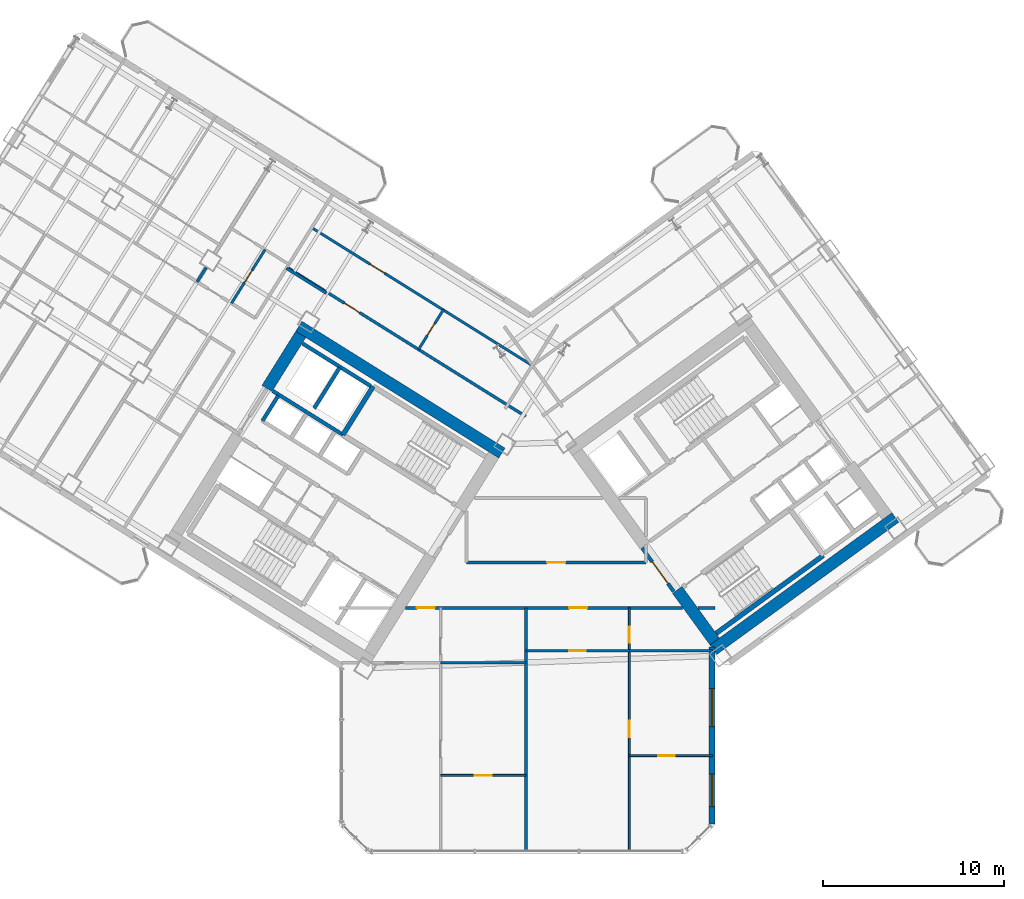
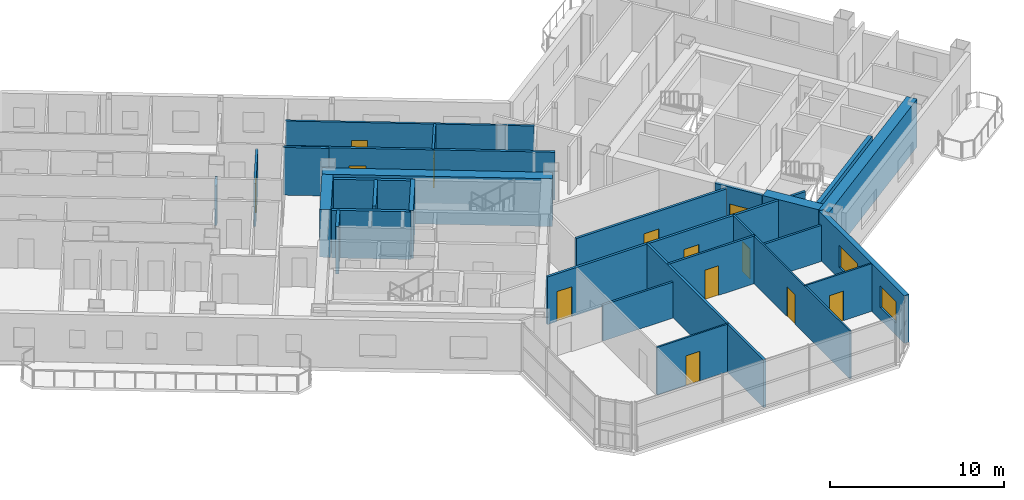
# One storey, part 13 of 21: 28 walls, 13 doors, 2 windows, 15 openings.
"""IFC4 building model written with IfcOpenShell, lengths in metres."""

from ifc_helpers import new_model, si_unit, direction, frame, frame_2d, origin, place, context, subcontext, project, spatial, rectangle, extrude, source, transform, mapped, material, layer, layer_set, type_object, element, fill, save


model = new_model("IFC4")

# Units and contexts
model_context = context("Model", 3, precision=1e-05, world=origin(), true_north=direction((0.0, 1.0)))
body_context = subcontext(model_context, "Body", "Model", "MODEL_VIEW")
ifc_project = project(units=[si_unit("LENGTHUNIT", "METRE"), si_unit("AREAUNIT", "SQUARE_METRE"), si_unit("VOLUMEUNIT", "CUBIC_METRE"), si_unit("PLANEANGLEUNIT", "RADIAN"), si_unit("MASSUNIT", "GRAM", prefix="KILO")], contexts=[model_context])

# Site, building, storey
site_placement = place(None, origin())
site = spatial("IfcSite", under=ifc_project, at=site_placement, CompositionType="ELEMENT")
building_placement = place(site_placement, origin())
building = spatial("IfcBuilding", under=site, at=building_placement, Name="Tlacorven Tower", CompositionType="ELEMENT")
storey_placement = place(building_placement, frame((0.0, 0.0, 93.60009765625)))
storey = spatial("IfcBuildingStorey", under=building, at=storey_placement, Name="L23", CompositionType="ELEMENT", Elevation=93.60009765625)

# Walls
ifc_material_1 = material(Name="Concrete C60/75", Category="concrete")
ifc_layer_1 = layer(ifc_material_1, 0.64990234375)
ifc_layer_set_1 = layer_set([ifc_layer_1], Name="Concrete C60/75")
wall_type_1 = type_object("IfcWallType", Name="WL-COR-650", PredefinedType="SHEAR", material=ifc_layer_set_1)
wall_1_placement = place(storey_placement, frame((40.615478515625, 23.9833984375, 0.0), z_axis=(0.0, 0.0, 1.0), x_axis=(-0.848045953968, 0.529922692436, 0.0)))
element("IfcWall", 1, at=wall_1_placement, inside=storey, type_object=wall_type_1, Name="L23 W core shear wall S1", PredefinedType="SHEAR", context=body_context, shape_type="SweptSolid", body=[
    extrude(rectangle(XDim=13.239990234375, YDim=0.64990234375, at=frame_2d((6.6201171875, 0.0))), origin(), (0.0, 0.0, 1.0), 3.349853515625),
])
wall_2_placement = place(storey_placement, frame((29.49072265625, 30.5517578125, 0.0), z_axis=(0.0, 0.0, 1.0), x_axis=(-0.529893103397, -0.8480644427, 0.0)))
element("IfcWall", 2, at=wall_2_placement, inside=storey, type_object=wall_type_1, Name="L23 W core end wall E2.1", PredefinedType="SHEAR", context=body_context, shape_type="SweptSolid", body=[
    extrude(rectangle(XDim=3.525146484375, YDim=0.64990234375, at=frame_2d((1.7626953125, 0.0))), origin(), (0.0, 0.0, 1.0), 3.349853515625),
])
wall_3_placement = place(storey_placement, frame((52.318359375, 13.1103515625, 0.0), z_axis=(0.0, 0.0, 1.0), x_axis=(0.809019445368, 0.587781878776, 0.0)))
element("IfcWall", 3, at=wall_3_placement, inside=storey, type_object=wall_type_1, Name="L23 E core shear wall S1", PredefinedType="SHEAR", context=body_context, shape_type="SweptSolid", body=[
    extrude(rectangle(XDim=12.43994140625, YDim=0.64990234375, at=frame_2d((6.219970703125, 0.0))), origin(), (0.0, 0.0, 1.0), 3.349853515625),
])
wall_4_placement = place(storey_placement, frame((52.390380859375, 13.564208984375, 0.0), z_axis=(0.0, 0.0, 1.0), x_axis=(-0.58779688989, 0.809008539037, 0.0)))
element("IfcWall", 4, at=wall_4_placement, inside=storey, type_object=wall_type_1, Name="L23 E core end wall E1.1", PredefinedType="SHEAR", context=body_context, shape_type="SweptSolid", body=[
    extrude(rectangle(XDim=3.525146484375, YDim=0.64990234375, at=frame_2d((1.7626953125, 0.0))), origin(), (0.0, 0.0, 1.0), 3.349853515625),
])
ifc_material_2 = material(Name="Gypsum plasterboard acoustic partition", Category="gypsum")
ifc_layer_2 = layer(ifc_material_2, 0.159912109375)
ifc_layer_set_2 = layer_set([ifc_layer_2], Name="Gypsum plasterboard acoustic partition")
wall_type_2 = type_object("IfcWallType", Name="WL-DEM-160", PredefinedType="PARTITIONING", material=ifc_layer_set_2)
wall_5_placement = place(storey_placement, frame((30.91357421875, 32.82861328125, 0.0), z_axis=(0.0, 0.0, 1.0), x_axis=(-0.848008813643, 0.529982124211, 0.0)))
element("IfcWall", 5, at=wall_5_placement, inside=storey, type_object=wall_type_2, Name="L23 partition 49", PredefinedType="PARTITIONING", context=body_context, shape_type="SweptSolid", body=[
    extrude(rectangle(XDim=2.610107421875, YDim=0.159912109375, at=frame_2d((1.30517578125, 0.0))), origin(), (0.0, 0.0, 1.0), 3.33984375),
])
wall_6_placement = place(storey_placement, frame((24.255615234375, 34.2509765625, 0.0), z_axis=(0.0, 0.0, 1.0), x_axis=(-0.529952145338, -0.848027548876, 0.0)))
element("IfcWall", 6, at=wall_6_placement, inside=storey, type_object=wall_type_2, Name="L23 WS Demising Wall 1", PredefinedType="PARTITIONING", context=body_context, shape_type="SweptSolid", body=[
    extrude(rectangle(XDim=0.93798828125, YDim=0.159912109375, at=frame_2d((0.468994140625, 0.0))), origin(), (0.0, 0.0, 1.0), 2.77490234375),
])

# Wall, opening, door
wall_7_placement = place(storey_placement, frame((41.93603515625, 26.011962890625, 0.0), z_axis=(0.0, 0.0, 1.0), x_axis=(-0.848051154596, 0.529914369676, 0.0)))
wall_7 = element("IfcWall", 7, at=wall_7_placement, inside=storey, type_object=wall_type_2, Name="L23 partition 79", PredefinedType="PARTITIONING", context=body_context, shape_type="SweptSolid", body=[
    extrude(rectangle(XDim=15.56982421875, YDim=0.159912109375, at=frame_2d((7.784912109375, 0.0))), origin(), (0.0, 0.0, 1.0), 3.33984375),
])
opening_1_placement = place(wall_7_placement, frame((10.830078125, 0.0, 0.0)))
opening_1 = element("IfcOpeningElement", 8, at=opening_1_placement, cuts=wall_7, Name="Opening D11", PredefinedType="OPENING", context=body_context, shape_type="SweptSolid", body=[
    extrude(rectangle(XDim=1.0, YDim=2.10009765625, at=frame_2d((0.5, 1.050048828125))), frame((0.0, 0.08984375, 0.0), z_axis=(0.0, -1.0, 0.0), x_axis=(1.0, 0.0, 0.0)), (0.0, 0.0, 1.0), 0.179931640625),
])
ifc_material_3 = material(Name="Fire-rated steel door assembly", Category="steel")
door_type_1 = type_object("IfcDoorType", Name="DR-FLT-FD60-1000", OperationType="NOTDEFINED", PredefinedType="DOOR", material=ifc_material_3)
shared_shape_1 = source(origin(), body_context, "Body", "SweptSolid", [
    extrude(rectangle(XDim=1.0, YDim=2.10009765625, at=frame_2d((0.5, 1.050048828125))), frame((0.0, 0.02490234375, 0.0), z_axis=(0.0, -1.0, 0.0), x_axis=(1.0, 0.0, 0.0)), (0.0, 0.0, 1.0), 0.050048828125),
])
door_1_placement = place(opening_1_placement, origin())
door_1 = element("IfcDoor", 9, at=door_1_placement, inside=storey, type_object=door_type_1, Name="L23 door 048", OperationType="SINGLE_SWING_LEFT", OverallHeight=2.10009765625, OverallWidth=1.0, PredefinedType="DOOR", context=body_context, shape_type="MappedRepresentation", body=[
    mapped(shared_shape_1, transform((0.0, 0.0, 0.0), scale=1.0)),
])
fill(opening_1, door_1)

# Wall, openings, doors
wall_8_placement = place(storey_placement, frame((35.29638671875, 15.419921875, 0.0), z_axis=(0.0, 0.0, 1.0), x_axis=(1.0, 0.0, 0.0)))
wall_8 = element("IfcWall", 10, at=wall_8_placement, inside=storey, type_object=wall_type_2, Name="L23 Knuckle Corridor South Wall", PredefinedType="PARTITIONING", context=body_context, shape_type="SweptSolid", body=[
    extrude(rectangle(XDim=15.310546875, YDim=0.159912109375, at=frame_2d((7.6552734375, 0.0))), origin(), (0.0, 0.0, 1.0), 3.33984375),
])
opening_2_placement = place(wall_8_placement, frame((0.61474609375, 0.0, 0.0)))
opening_2 = element("IfcOpeningElement", 11, at=opening_2_placement, cuts=wall_8, Name="Opening D11", PredefinedType="OPENING", context=body_context, shape_type="SweptSolid", body=[
    extrude(rectangle(XDim=1.0, YDim=2.10009765625, at=frame_2d((0.5, 1.050048828125))), frame((0.0, 0.08984375, 0.0), z_axis=(0.0, -1.0, 0.0), x_axis=(1.0, 0.0, 0.0)), (0.0, 0.0, 1.0), 0.179931640625),
])
opening_3_placement = place(wall_8_placement, frame((9.03515625, 0.0, 0.0)))
opening_3 = element("IfcOpeningElement", 12, at=opening_3_placement, cuts=wall_8, Name="Opening D11", PredefinedType="OPENING", context=body_context, shape_type="SweptSolid", body=[
    extrude(rectangle(XDim=1.0, YDim=2.10009765625, at=frame_2d((0.5, 1.050048828125))), frame((0.0, 0.08984375, 0.0), z_axis=(0.0, -1.0, 0.0), x_axis=(1.0, 0.0, 0.0)), (0.0, 0.0, 1.0), 0.179931640625),
])
door_2_placement = place(opening_2_placement, frame((1.0, 0.0, 0.0), z_axis=(0.0, 0.0, 1.0), x_axis=(-1.0, 0.0, 0.0)))
door_2 = element("IfcDoor", 13, at=door_2_placement, inside=storey, type_object=door_type_1, Name="L23 door 056", OperationType="SINGLE_SWING_LEFT", OverallHeight=2.10009765625, OverallWidth=1.0, PredefinedType="DOOR", context=body_context, shape_type="MappedRepresentation", body=[
    mapped(shared_shape_1, transform((0.0, 0.0, 0.0), scale=1.0)),
])
fill(opening_2, door_2)
door_3_placement = place(opening_3_placement, frame((1.0, 0.0, 0.0), z_axis=(0.0, 0.0, 1.0), x_axis=(-1.0, 0.0, 0.0)))
door_3 = element("IfcDoor", 14, at=door_3_placement, inside=storey, type_object=door_type_1, Name="L23 door 061", OperationType="SINGLE_SWING_RIGHT", OverallHeight=2.10009765625, OverallWidth=1.0, PredefinedType="DOOR", context=body_context, shape_type="MappedRepresentation", body=[
    mapped(shared_shape_1, transform((0.0, 0.0, 0.0), scale=1.0)),
])
fill(opening_3, door_3)

# Wall
wall_9_placement = place(storey_placement, frame((51.477294921875, 15.419921875, 0.0), z_axis=(0.0, 0.0, 1.0), x_axis=(1.0, 0.0, 0.0)))
element("IfcWall", 15, at=wall_9_placement, inside=storey, type_object=wall_type_2, Name="L23 Knuckle Corridor South Wall", PredefinedType="PARTITIONING", context=body_context, shape_type="SweptSolid", body=[
    extrude(rectangle(XDim=0.922607421875, YDim=0.159912109375, at=frame_2d((0.46142578125, 0.0))), origin(), (0.0, 0.0, 1.0), 3.33984375),
])

# Wall, opening, door
wall_10_placement = place(storey_placement, frame((38.64990234375, 17.929931640625, 0.0), z_axis=(0.0, 0.0, 1.0), x_axis=(1.0, 0.0, 0.0)))
wall_10 = element("IfcWall", 16, at=wall_10_placement, inside=storey, type_object=wall_type_2, Name="L23 partition 85", PredefinedType="PARTITIONING", context=body_context, shape_type="SweptSolid", body=[
    extrude(rectangle(XDim=9.9501953125, YDim=0.159912109375, at=frame_2d((4.97509765625, 0.0))), origin(), (0.0, 0.0, 1.0), 3.33984375),
])
opening_4_placement = place(wall_10_placement, frame((4.47509765625, 0.0, 0.0)))
opening_4 = element("IfcOpeningElement", 17, at=opening_4_placement, cuts=wall_10, Name="Opening D11", PredefinedType="OPENING", context=body_context, shape_type="SweptSolid", body=[
    extrude(rectangle(XDim=1.0, YDim=2.10009765625, at=frame_2d((0.5, 1.050048828125))), frame((0.0, 0.08984375, 0.0), z_axis=(0.0, -1.0, 0.0), x_axis=(1.0, 0.0, 0.0)), (0.0, 0.0, 1.0), 0.179931640625),
])
door_4_placement = place(opening_4_placement, origin())
door_4 = element("IfcDoor", 18, at=door_4_placement, inside=storey, type_object=door_type_1, Name="L23 door 051", OperationType="SINGLE_SWING_RIGHT", OverallHeight=2.10009765625, OverallWidth=1.0, PredefinedType="DOOR", context=body_context, shape_type="MappedRepresentation", body=[
    mapped(shared_shape_1, transform((0.0, 0.0, 0.0), scale=1.0)),
])
fill(opening_4, door_4)

# Wall
wall_11_placement = place(storey_placement, frame((41.949951171875, 1.9599609375, 0.0), z_axis=(0.0, 0.0, 1.0), x_axis=(0.0, 1.0, 0.0)))
element("IfcWall", 19, at=wall_11_placement, inside=storey, type_object=wall_type_2, Name="L23 Knuckle Demising Wall 1", PredefinedType="PARTITIONING", context=body_context, shape_type="SweptSolid", body=[
    extrude(rectangle(XDim=13.4599609375, YDim=0.159912109375, at=frame_2d((6.72998046875, 0.0))), origin(), (0.0, 0.0, 1.0), 3.33984375),
])

# Wall, openings, windows
ifc_material_4 = material(Name="Precast concrete C45/55", Category="concrete")
ifc_layer_3 = layer(ifc_material_4, 0.320068359375)
ifc_layer_set_3 = layer_set([ifc_layer_3], Name="Precast concrete C45/55")
wall_type_3 = type_object("IfcWallType", Name="WL-EXT-320", PredefinedType="STANDARD", material=ifc_layer_set_3)
wall_12_placement = place(storey_placement, frame((52.239990234375, 13.260986328125, 0.0), z_axis=(0.0, 0.0, 1.0), x_axis=(0.0, -1.0, 0.0)))
wall_12 = element("IfcWall", 20, at=wall_12_placement, inside=storey, type_object=wall_type_3, Name="L23 Masonry-Frame Recessed Facade Wall 7", PredefinedType="STANDARD", context=body_context, shape_type="SweptSolid", body=[
    extrude(rectangle(XDim=9.794677734375, YDim=0.320068359375, at=frame_2d((4.8974609375, 0.0))), origin(), (0.0, 0.0, 1.0), 3.349853515625),
])
opening_5_placement = place(wall_12_placement, frame((2.306884765625, 0.0, 0.800048828125)))
opening_5 = element("IfcOpeningElement", 21, at=opening_5_placement, cuts=wall_12, Name="Opening WN04", PredefinedType="OPENING", context=body_context, shape_type="SweptSolid", body=[
    extrude(rectangle(XDim=2.10009765625, YDim=1.550048828125, at=frame_2d((1.050048828125, 0.77490234375))), frame((0.0, 0.169921875, 0.0), z_axis=(0.0, -1.0, 0.0), x_axis=(1.0, 0.0, 0.0)), (0.0, 0.0, 1.0), 0.340087890625),
])
opening_6_placement = place(wall_12_placement, frame((7.0302734375, 0.0, 0.85009765625)))
opening_6 = element("IfcOpeningElement", 22, at=opening_6_placement, cuts=wall_12, Name="Opening WN01", PredefinedType="OPENING", context=body_context, shape_type="SweptSolid", body=[
    extrude(rectangle(XDim=1.800048828125, YDim=1.5, at=frame_2d((0.89990234375, 0.75))), frame((0.0, 0.169921875, 0.0), z_axis=(0.0, -1.0, 0.0), x_axis=(1.0, 0.0, 0.0)), (0.0, 0.0, 1.0), 0.340087890625),
])
ifc_material_5 = material(Name="Dark solar low-E double glazing in anodised aluminium frame", Category="aluminium")
window_type_1 = type_object("IfcWindowType", Name="WN-APT-2100X1750", PartitioningType="SINGLE_PANEL", PredefinedType="WINDOW", material=ifc_material_5)
shared_shape_2 = source(origin(), body_context, "Body", "SweptSolid", [
    extrude(rectangle(XDim=2.10009765625, YDim=1.550048828125, at=frame_2d((1.050048828125, 0.77490234375))), frame((0.0, 0.030029296875, 0.0), z_axis=(0.0, -1.0, 0.0), x_axis=(1.0, 0.0, 0.0)), (0.0, 0.0, 1.0), 0.06005859375),
])
window_1_placement = place(opening_5_placement, origin())
window_1 = element("IfcWindow", 23, at=window_1_placement, inside=storey, type_object=window_type_1, Name="L23 Recessed Masonry-Frame Window L23-07.1", OverallHeight=1.550048828125, OverallWidth=2.10009765625, PartitioningType="SINGLE_PANEL", PredefinedType="WINDOW", context=body_context, shape_type="MappedRepresentation", body=[
    mapped(shared_shape_2, transform((0.0, 0.0, 0.0), scale=1.0)),
])
fill(opening_5, window_1)
window_type_2 = type_object("IfcWindowType", Name="WN-APT-1800X1650", PartitioningType="SINGLE_PANEL", PredefinedType="WINDOW", material=ifc_material_5)
shared_shape_3 = source(origin(), body_context, "Body", "SweptSolid", [
    extrude(rectangle(XDim=1.800048828125, YDim=1.5, at=frame_2d((0.89990234375, 0.75))), frame((0.0, 0.030029296875, 0.0), z_axis=(0.0, -1.0, 0.0), x_axis=(1.0, 0.0, 0.0)), (0.0, 0.0, 1.0), 0.06005859375),
])
window_2_placement = place(opening_6_placement, origin())
window_2 = element("IfcWindow", 24, at=window_2_placement, inside=storey, type_object=window_type_2, Name="L23 Recessed Masonry-Frame Window L23-07.2", OverallHeight=1.5, OverallWidth=1.800048828125, PartitioningType="SINGLE_PANEL", PredefinedType="WINDOW", context=body_context, shape_type="MappedRepresentation", body=[
    mapped(shared_shape_3, transform((0.0, 0.0, 0.0), scale=1.0)),
])
fill(opening_6, window_2)

# Wall, opening, door
ifc_material_6 = material(Name="Gypsum plasterboard partition", Category="gypsum")
ifc_layer_4 = layer(ifc_material_6, 0.110107421875)
ifc_layer_set_4 = layer_set([ifc_layer_4], Name="Gypsum plasterboard partition")
wall_type_4 = type_object("IfcWallType", Name="WL-INT-110", PredefinedType="PARTITIONING", material=ifc_layer_set_4)
wall_13_placement = place(storey_placement, frame((37.221923828125, 6.14990234375, 0.0), z_axis=(0.0, 0.0, 1.0), x_axis=(1.0, 0.0, 0.0)))
wall_13 = element("IfcWall", 25, at=wall_13_placement, inside=storey, type_object=wall_type_4, Name="L23 partition 94", PredefinedType="PARTITIONING", context=body_context, shape_type="SweptSolid", body=[
    extrude(rectangle(XDim=4.72802734375, YDim=0.110107421875, at=frame_2d((2.364013671875, 0.0))), origin(), (0.0, 0.0, 1.0), 3.33984375),
])
opening_7_placement = place(wall_13_placement, frame((1.904052734375, 0.0, 0.0)))
opening_7 = element("IfcOpeningElement", 26, at=opening_7_placement, cuts=wall_13, Name="Opening D12", PredefinedType="OPENING", context=body_context, shape_type="SweptSolid", body=[
    extrude(rectangle(XDim=0.919921875, YDim=2.080078125, at=frame_2d((0.4599609375, 1.0400390625))), frame((0.0, 0.06494140625, 0.0), z_axis=(0.0, -1.0, 0.0), x_axis=(1.0, 0.0, 0.0)), (0.0, 0.0, 1.0), 0.130126953125),
])
ifc_material_7 = material(Name="Powder-coated aluminium and timber door", Category="wood")
door_type_2 = type_object("IfcDoorType", Name="DR-INT-ROOM-0920", OperationType="NOTDEFINED", PredefinedType="DOOR", material=ifc_material_7)
shared_shape_4 = source(origin(), body_context, "Body", "SweptSolid", [
    extrude(rectangle(XDim=0.919921875, YDim=2.080078125, at=frame_2d((0.4599609375, 1.0400390625))), frame((0.0, 0.02490234375, 0.0), z_axis=(0.0, -1.0, 0.0), x_axis=(1.0, 0.0, 0.0)), (0.0, 0.0, 1.0), 0.050048828125),
])
door_5_placement = place(opening_7_placement, origin())
door_5 = element("IfcDoor", 27, at=door_5_placement, inside=storey, type_object=door_type_2, Name="L23 door 055", OperationType="SINGLE_SWING_RIGHT", OverallHeight=2.080078125, OverallWidth=0.919921875, PredefinedType="DOOR", context=body_context, shape_type="MappedRepresentation", body=[
    mapped(shared_shape_4, transform((0.0, 0.0, 0.0), scale=1.0)),
])
fill(opening_7, door_5)

# Wall, openings, doors
wall_14_placement = place(storey_placement, frame((47.6630859375, 1.9599609375, 0.0), z_axis=(0.0, 0.0, 1.0), x_axis=(0.0, 1.0, 0.0)))
wall_14 = element("IfcWall", 28, at=wall_14_placement, inside=storey, type_object=wall_type_4, Name="L23 partition 95", PredefinedType="PARTITIONING", context=body_context, shape_type="SweptSolid", body=[
    extrude(rectangle(XDim=13.4599609375, YDim=0.110107421875, at=frame_2d((6.72998046875, 0.0))), origin(), (0.0, 0.0, 1.0), 3.33984375),
])
opening_8_placement = place(wall_14_placement, frame((6.300048828125, 0.0, 0.0)))
opening_8 = element("IfcOpeningElement", 29, at=opening_8_placement, cuts=wall_14, Name="Opening D12", PredefinedType="OPENING", context=body_context, shape_type="SweptSolid", body=[
    extrude(rectangle(XDim=0.919921875, YDim=2.080078125, at=frame_2d((0.4599609375, 1.0400390625))), frame((0.0, 0.06494140625, 0.0), z_axis=(0.0, -1.0, 0.0), x_axis=(1.0, 0.0, 0.0)), (0.0, 0.0, 1.0), 0.130126953125),
])
opening_9_placement = place(wall_14_placement, frame((11.5400390625, 0.0, 0.0)))
opening_9 = element("IfcOpeningElement", 30, at=opening_9_placement, cuts=wall_14, Name="Opening D13", PredefinedType="OPENING", context=body_context, shape_type="SweptSolid", body=[
    extrude(rectangle(XDim=0.8798828125, YDim=2.080078125, at=frame_2d((0.43994140625, 1.0400390625))), frame((0.0, 0.06494140625, 0.0), z_axis=(0.0, -1.0, 0.0), x_axis=(1.0, 0.0, 0.0)), (0.0, 0.0, 1.0), 0.130126953125),
])
door_type_3 = type_object("IfcDoorType", Name="DR-INT-WET-0880", OperationType="NOTDEFINED", PredefinedType="DOOR", material=ifc_material_7)
shared_shape_5 = source(origin(), body_context, "Body", "SweptSolid", [
    extrude(rectangle(XDim=0.8798828125, YDim=2.080078125, at=frame_2d((0.43994140625, 1.0400390625))), frame((0.0, 0.02490234375, 0.0), z_axis=(0.0, -1.0, 0.0), x_axis=(1.0, 0.0, 0.0)), (0.0, 0.0, 1.0), 0.050048828125),
])
door_6_placement = place(opening_9_placement, origin())
door_6 = element("IfcDoor", 31, at=door_6_placement, inside=storey, type_object=door_type_3, Name="L23 door 063", OperationType="SINGLE_SWING_RIGHT", OverallHeight=2.080078125, OverallWidth=0.8798828125, PredefinedType="DOOR", context=body_context, shape_type="MappedRepresentation", body=[
    mapped(shared_shape_5, transform((0.0, 0.0, 0.0), scale=1.0)),
])
fill(opening_9, door_6)
door_7_placement = place(opening_8_placement, origin())
door_7 = element("IfcDoor", 32, at=door_7_placement, inside=storey, type_object=door_type_2, Name="L23 door 059", OperationType="SINGLE_SWING_RIGHT", OverallHeight=2.080078125, OverallWidth=0.919921875, PredefinedType="DOOR", context=body_context, shape_type="MappedRepresentation", body=[
    mapped(shared_shape_4, transform((0.0, 0.0, 0.0), scale=1.0)),
])
fill(opening_8, door_7)

# Wall, opening, door
wall_15_placement = place(storey_placement, frame((47.6630859375, 7.25, 0.0), z_axis=(0.0, 0.0, 1.0), x_axis=(1.0, 0.0, 0.0)))
wall_15 = element("IfcWall", 33, at=wall_15_placement, inside=storey, type_object=wall_type_4, Name="L23 partition 98", PredefinedType="PARTITIONING", context=body_context, shape_type="SweptSolid", body=[
    extrude(rectangle(XDim=4.596923828125, YDim=0.110107421875, at=frame_2d((2.29833984375, 0.0))), origin(), (0.0, 0.0, 1.0), 3.33984375),
])
opening_10_placement = place(wall_15_placement, frame((1.6083984375, 0.0, 0.0)))
opening_10 = element("IfcOpeningElement", 34, at=opening_10_placement, cuts=wall_15, Name="Opening D12", PredefinedType="OPENING", context=body_context, shape_type="SweptSolid", body=[
    extrude(rectangle(XDim=0.919921875, YDim=2.080078125, at=frame_2d((0.4599609375, 1.0400390625))), frame((0.0, 0.06494140625, 0.0), z_axis=(0.0, -1.0, 0.0), x_axis=(1.0, 0.0, 0.0)), (0.0, 0.0, 1.0), 0.130126953125),
])
door_8_placement = place(opening_10_placement, origin())
door_8 = element("IfcDoor", 35, at=door_8_placement, inside=storey, type_object=door_type_2, Name="L23 door 060", OperationType="SINGLE_SWING_LEFT", OverallHeight=2.080078125, OverallWidth=0.919921875, PredefinedType="DOOR", context=body_context, shape_type="MappedRepresentation", body=[
    mapped(shared_shape_4, transform((0.0, 0.0, 0.0), scale=1.0)),
])
fill(opening_10, door_8)

ifc_material_8 = material(Name="Moisture-resistant gypsum plumbing wall", Category="gypsum")
ifc_layer_5 = layer(ifc_material_8, 0.139892578125)
ifc_layer_set_5 = layer_set([ifc_layer_5], Name="Moisture-resistant gypsum plumbing wall")
wall_type_5 = type_object("IfcWallType", Name="WL-PLM-140", PredefinedType="PLUMBINGWALL", material=ifc_layer_set_5)
wall_16_placement = place(storey_placement, frame((27.518310546875, 35.2451171875, 0.0), z_axis=(0.0, 0.0, 1.0), x_axis=(-0.529948921118, -0.848029563757, 0.0)))
wall_16 = element("IfcWall", 36, at=wall_16_placement, inside=storey, type_object=wall_type_5, Name="L23 partition 70", PredefinedType="PLUMBINGWALL", context=body_context, shape_type="SweptSolid", body=[
    extrude(rectangle(XDim=3.510009765625, YDim=0.139892578125, at=frame_2d((1.7548828125, 0.0))), origin(), (0.0, 0.0, 1.0), 2.994873046875),
])
opening_11_placement = place(wall_16_placement, frame((1.364990234375, 0.0, 0.0)))
opening_11 = element("IfcOpeningElement", 37, at=opening_11_placement, cuts=wall_16, Name="Opening D22", PredefinedType="OPENING", context=body_context, shape_type="SweptSolid", body=[
    extrude(rectangle(XDim=0.780029296875, YDim=2.050048828125, at=frame_2d((0.39013671875, 1.02490234375))), frame((0.0, 0.080078125, 0.0), z_axis=(0.0, -1.0, 0.0), x_axis=(1.0, 0.0, 0.0)), (0.0, 0.0, 1.0), 0.159912109375),
])
door_type_4 = type_object("IfcDoorType", Name="DR-INT-WET-0780", OperationType="NOTDEFINED", PredefinedType="DOOR", material=ifc_material_7)
shared_shape_6 = source(origin(), body_context, "Body", "SweptSolid", [
    extrude(rectangle(XDim=0.780029296875, YDim=2.050048828125, at=frame_2d((0.39013671875, 1.02490234375))), frame((0.0, 0.02490234375, 0.0), z_axis=(0.0, -1.0, 0.0), x_axis=(1.0, 0.0, 0.0)), (0.0, 0.0, 1.0), 0.050048828125),
])
door_9_placement = place(opening_11_placement, origin())
door_9 = element("IfcDoor", 38, at=door_9_placement, inside=storey, type_object=door_type_4, Name="L23 door 038", OperationType="SINGLE_SWING_LEFT", OverallHeight=2.050048828125, OverallWidth=0.780029296875, PredefinedType="DOOR", context=body_context, shape_type="MappedRepresentation", body=[
    mapped(shared_shape_6, transform((0.0, 0.0, 0.0), scale=1.0)),
])
fill(opening_11, door_9)

wall_17_placement = place(storey_placement, frame((42.226318359375, 28.872802734375, 0.0), z_axis=(0.0, 0.0, 1.0), x_axis=(-0.848049134363, 0.529917602752, 0.0)))
wall_17 = element("IfcWall", 39, at=wall_17_placement, inside=storey, type_object=wall_type_5, Name="L23 partition 81", PredefinedType="PLUMBINGWALL", context=body_context, shape_type="SweptSolid", body=[
    extrude(rectangle(XDim=14.300048828125, YDim=0.139892578125, at=frame_2d((7.14990234375, 0.0))), origin(), (0.0, 0.0, 1.0), 3.33984375),
])
opening_12_placement = place(wall_17_placement, frame((9.570068359375, 0.0, 0.0)))
opening_12 = element("IfcOpeningElement", 40, at=opening_12_placement, cuts=wall_17, Name="Opening D12", PredefinedType="OPENING", context=body_context, shape_type="SweptSolid", body=[
    extrude(rectangle(XDim=0.919921875, YDim=2.080078125, at=frame_2d((0.4599609375, 1.0400390625))), frame((0.0, 0.080078125, 0.0), z_axis=(0.0, -1.0, 0.0), x_axis=(1.0, 0.0, 0.0)), (0.0, 0.0, 1.0), 0.159912109375),
])
door_10_placement = place(opening_12_placement, origin())
door_10 = element("IfcDoor", 41, at=door_10_placement, inside=storey, type_object=door_type_2, Name="L23 door 049", OperationType="SINGLE_SWING_RIGHT", OverallHeight=2.080078125, OverallWidth=0.919921875, PredefinedType="DOOR", context=body_context, shape_type="MappedRepresentation", body=[
    mapped(shared_shape_4, transform((0.0, 0.0, 0.0), scale=1.0)),
])
fill(opening_12, door_10)

wall_18_placement = place(storey_placement, frame((37.37548828125, 31.904052734375, 0.0), z_axis=(0.0, 0.0, 1.0), x_axis=(-0.529913878929, -0.848051461244, 0.0)))
wall_18 = element("IfcWall", 42, at=wall_18_placement, inside=storey, type_object=wall_type_5, Name="L23 partition 82", PredefinedType="PLUMBINGWALL", context=body_context, shape_type="SweptSolid", body=[
    extrude(rectangle(XDim=2.580078125, YDim=0.139892578125, at=frame_2d((1.2900390625, 0.0))), origin(), (0.0, 0.0, 1.0), 3.33984375),
])
opening_13_placement = place(wall_18_placement, frame((0.89990234375, 0.0, 0.0)))
opening_13 = element("IfcOpeningElement", 43, at=opening_13_placement, cuts=wall_18, Name="Opening D22", PredefinedType="OPENING", context=body_context, shape_type="SweptSolid", body=[
    extrude(rectangle(XDim=0.780029296875, YDim=2.050048828125, at=frame_2d((0.39013671875, 1.02490234375))), frame((0.0, 0.080078125, 0.0), z_axis=(0.0, -1.0, 0.0), x_axis=(1.0, 0.0, 0.0)), (0.0, 0.0, 1.0), 0.159912109375),
])
door_11_placement = place(opening_13_placement, origin())
door_11 = element("IfcDoor", 44, at=door_11_placement, inside=storey, type_object=door_type_4, Name="L23 door 050", OperationType="SINGLE_SWING_LEFT", OverallHeight=2.050048828125, OverallWidth=0.780029296875, PredefinedType="DOOR", context=body_context, shape_type="MappedRepresentation", body=[
    mapped(shared_shape_6, transform((0.0, 0.0, 0.0), scale=1.0)),
])
fill(opening_13, door_11)

# Wall
wall_19_placement = place(storey_placement, frame((37.221923828125, 12.389892578125, 0.0), z_axis=(0.0, 0.0, 1.0), x_axis=(1.0, 0.0, 0.0)))
element("IfcWall", 45, at=wall_19_placement, inside=storey, type_object=wall_type_5, Name="L23 partition 93", PredefinedType="PLUMBINGWALL", context=body_context, shape_type="SweptSolid", body=[
    extrude(rectangle(XDim=4.72802734375, YDim=0.139892578125, at=frame_2d((2.364013671875, 0.0))), origin(), (0.0, 0.0, 1.0), 2.52490234375),
])

# Wall, opening, door
wall_20_placement = place(storey_placement, frame((41.949951171875, 13.0400390625, 0.0), z_axis=(0.0, 0.0, 1.0), x_axis=(1.0, 0.0, 0.0)))
wall_20 = element("IfcWall", 46, at=wall_20_placement, inside=storey, type_object=wall_type_5, Name="L23 partition 96", PredefinedType="PLUMBINGWALL", context=body_context, shape_type="SweptSolid", body=[
    extrude(rectangle(XDim=5.713134765625, YDim=0.139892578125, at=frame_2d((2.8564453125, 0.0))), origin(), (0.0, 0.0, 1.0), 3.33984375),
])
opening_14_placement = place(wall_20_placement, frame((2.396484375, 0.0, 0.0)))
opening_14 = element("IfcOpeningElement", 47, at=opening_14_placement, cuts=wall_20, Name="Opening D12", PredefinedType="OPENING", context=body_context, shape_type="SweptSolid", body=[
    extrude(rectangle(XDim=0.919921875, YDim=2.080078125, at=frame_2d((0.4599609375, 1.0400390625))), frame((0.0, 0.080078125, 0.0), z_axis=(0.0, -1.0, 0.0), x_axis=(1.0, 0.0, 0.0)), (0.0, 0.0, 1.0), 0.159912109375),
])
door_12_placement = place(opening_14_placement, frame((0.919921875, 0.0, 0.0), z_axis=(0.0, 0.0, 1.0), x_axis=(-1.0, 0.0, 0.0)))
door_12 = element("IfcDoor", 48, at=door_12_placement, inside=storey, type_object=door_type_2, Name="L23 door 062", OperationType="SINGLE_SWING_LEFT", OverallHeight=2.080078125, OverallWidth=0.919921875, PredefinedType="DOOR", context=body_context, shape_type="MappedRepresentation", body=[
    mapped(shared_shape_4, transform((0.0, 0.0, 0.0), scale=1.0)),
])
fill(opening_14, door_12)

# Walls
wall_21_placement = place(storey_placement, frame((47.6630859375, 13.0400390625, 0.0), z_axis=(0.0, 0.0, 1.0), x_axis=(1.0, 0.0, 0.0)))
element("IfcWall", 49, at=wall_21_placement, inside=storey, type_object=wall_type_5, Name="L23 partition 97", PredefinedType="PLUMBINGWALL", context=body_context, shape_type="SweptSolid", body=[
    extrude(rectangle(XDim=4.596923828125, YDim=0.139892578125, at=frame_2d((2.29833984375, 0.0))), origin(), (0.0, 0.0, 1.0), 2.52490234375),
])
ifc_material_9 = material(Name="Concrete C40/50", Category="concrete")
ifc_layer_6 = layer(ifc_material_9, 0.199951171875)
ifc_layer_set_6 = layer_set([ifc_layer_6], Name="Concrete C40/50")
wall_type_6 = type_object("IfcWallType", Name="WL-SHF-200", PredefinedType="STANDARD", material=ifc_layer_set_6)
wall_22_placement = place(storey_placement, frame((31.82177734375, 24.99755859375, 0.0), z_axis=(0.0, 0.0, 1.0), x_axis=(-0.848058348634, 0.529902856485, 0.0)))
element("IfcWall", 50, at=wall_22_placement, inside=storey, type_object=wall_type_6, Name="L23 Core W South Lift Shaft Wall", PredefinedType="STANDARD", context=body_context, shape_type="SweptSolid", body=[
    extrude(rectangle(XDim=4.568115234375, YDim=0.199951171875, at=frame_2d((2.2841796875, 0.0))), origin(), (0.0, 0.0, 1.0), 3.33984375),
])
wall_23_placement = place(storey_placement, frame((28.250244140625, 27.170166015625, 0.0), z_axis=(0.0, 0.0, 1.0), x_axis=(-0.529905827651, -0.848056492117, 0.0)))
element("IfcWall", 51, at=wall_23_placement, inside=storey, type_object=wall_type_6, Name="L23 partition 13", PredefinedType="STANDARD", context=body_context, shape_type="SweptSolid", body=[
    extrude(rectangle(XDim=1.64990234375, YDim=0.199951171875, at=frame_2d((0.824951171875, 0.0))), origin(), (0.0, 0.0, 1.0), 3.33984375),
])
wall_24_placement = place(storey_placement, frame((31.645263671875, 28.716064453125, 0.0), z_axis=(0.0, 0.0, 1.0), x_axis=(-0.52986693015, -0.848080795876, 0.0)))
element("IfcWall", 52, at=wall_24_placement, inside=storey, type_object=wall_type_6, Name="L23 partition 15", PredefinedType="STANDARD", context=body_context, shape_type="SweptSolid", body=[
    extrude(rectangle(XDim=2.659912109375, YDim=0.199951171875, at=frame_2d((1.330078125, 0.0))), origin(), (0.0, 0.0, 1.0), 3.33984375),
])
wall_25_placement = place(storey_placement, frame((33.362548828125, 27.690185546875, 0.0), z_axis=(0.0, 0.0, 1.0), x_axis=(-0.848053806312, 0.529910125964, 0.0)))
element("IfcWall", 53, at=wall_25_placement, inside=storey, type_object=wall_type_6, Name="L23 partition 17", PredefinedType="STANDARD", context=body_context, shape_type="SweptSolid", body=[
    extrude(rectangle(XDim=4.44775390625, YDim=0.199951171875, at=frame_2d((2.223876953125, 0.0))), origin(), (0.0, 0.0, 1.0), 3.33984375),
])

# Wall, opening, door
wall_26_placement = place(storey_placement, frame((50.119140625, 16.3330078125, 0.0), z_axis=(0.0, 0.0, 1.0), x_axis=(-0.587749856981, 0.809042709391, 0.0)))
wall_26 = element("IfcWall", 54, at=wall_26_placement, inside=storey, type_object=wall_type_6, Name="L23 partition 89", PredefinedType="STANDARD", context=body_context, shape_type="SweptSolid", body=[
    extrude(rectangle(XDim=2.9599609375, YDim=0.199951171875, at=frame_2d((1.47998046875, 0.0))), origin(), (0.0, 0.0, 1.0), 3.33984375),
])
opening_15_placement = place(wall_26_placement, frame((0.530029296875, 0.0, 0.0)))
opening_15 = element("IfcOpeningElement", 55, at=opening_15_placement, cuts=wall_26, Name="Opening D10", PredefinedType="OPENING", context=body_context, shape_type="SweptSolid", body=[
    extrude(rectangle(XDim=1.5, YDim=2.14990234375, at=frame_2d((0.75, 1.074951171875))), frame((0.0, 0.10986328125, 0.0), z_axis=(0.0, -1.0, 0.0), x_axis=(1.0, 0.0, 0.0)), (0.0, 0.0, 1.0), 0.219970703125),
])
door_type_5 = type_object("IfcDoorType", Name="DR-LOB-FD60-1500", OperationType="DOUBLE_DOOR_SINGLE_SWING", PredefinedType="DOOR", material=ifc_material_3)
shared_shape_7 = source(origin(), body_context, "Body", "SweptSolid", [
    extrude(rectangle(XDim=1.5, YDim=2.14990234375, at=frame_2d((0.75, 1.074951171875))), frame((0.0, 0.02490234375, 0.0), z_axis=(0.0, -1.0, 0.0), x_axis=(1.0, 0.0, 0.0)), (0.0, 0.0, 1.0), 0.050048828125),
])
door_13_placement = place(opening_15_placement, frame((1.5, 0.0, 0.0), z_axis=(0.0, 0.0, 1.0), x_axis=(-1.0, 0.0, 0.0)))
door_13 = element("IfcDoor", 56, at=door_13_placement, inside=storey, type_object=door_type_5, Name="L23 door 053", OperationType="DOUBLE_DOOR_SINGLE_SWING", OverallHeight=2.14990234375, OverallWidth=1.5, PredefinedType="DOOR", context=body_context, shape_type="MappedRepresentation", body=[
    mapped(shared_shape_7, transform((0.0, 0.0, 0.0), scale=1.0)),
])
fill(opening_15, door_13)

# Walls
ifc_material_10 = material(Name="Concrete C50/60", Category="concrete")
ifc_layer_7 = layer(ifc_material_10, 0.260009765625)
ifc_layer_set_7 = layer_set([ifc_layer_7], Name="Concrete C50/60")
wall_type_7 = type_object("IfcWallType", Name="WL-STW-260", PredefinedType="SHEAR", material=ifc_layer_set_7)
wall_27_placement = place(storey_placement, frame((33.496337890625, 27.677490234375, 0.0), z_axis=(0.0, 0.0, 1.0), x_axis=(-0.529908658664, -0.84805472316, 0.0)))
element("IfcWall", 57, at=wall_27_placement, inside=storey, type_object=wall_type_7, Name="L23 Stair W2 East Shear Wall", PredefinedType="SHEAR", context=body_context, shape_type="SweptSolid", body=[
    extrude(rectangle(XDim=3.16015625, YDim=0.260009765625, at=frame_2d((1.580078125, 0.0))), origin(), (0.0, 0.0, 1.0), 3.349853515625),
])
wall_28_placement = place(storey_placement, frame((52.47216796875, 14.01318359375, 0.0), z_axis=(0.0, 0.0, 1.0), x_axis=(0.809028366311, 0.587769599847, 0.0)))
element("IfcWall", 58, at=wall_28_placement, inside=storey, type_object=wall_type_7, Name="L23 Stair E2 Far Shear Wall", PredefinedType="SHEAR", context=body_context, shape_type="SweptSolid", body=[
    extrude(rectangle(XDim=7.330078125, YDim=0.260009765625, at=frame_2d((3.6650390625, 0.0))), origin(), (0.0, 0.0, 1.0), 3.349853515625),
])

save(model, "model.ifc")
